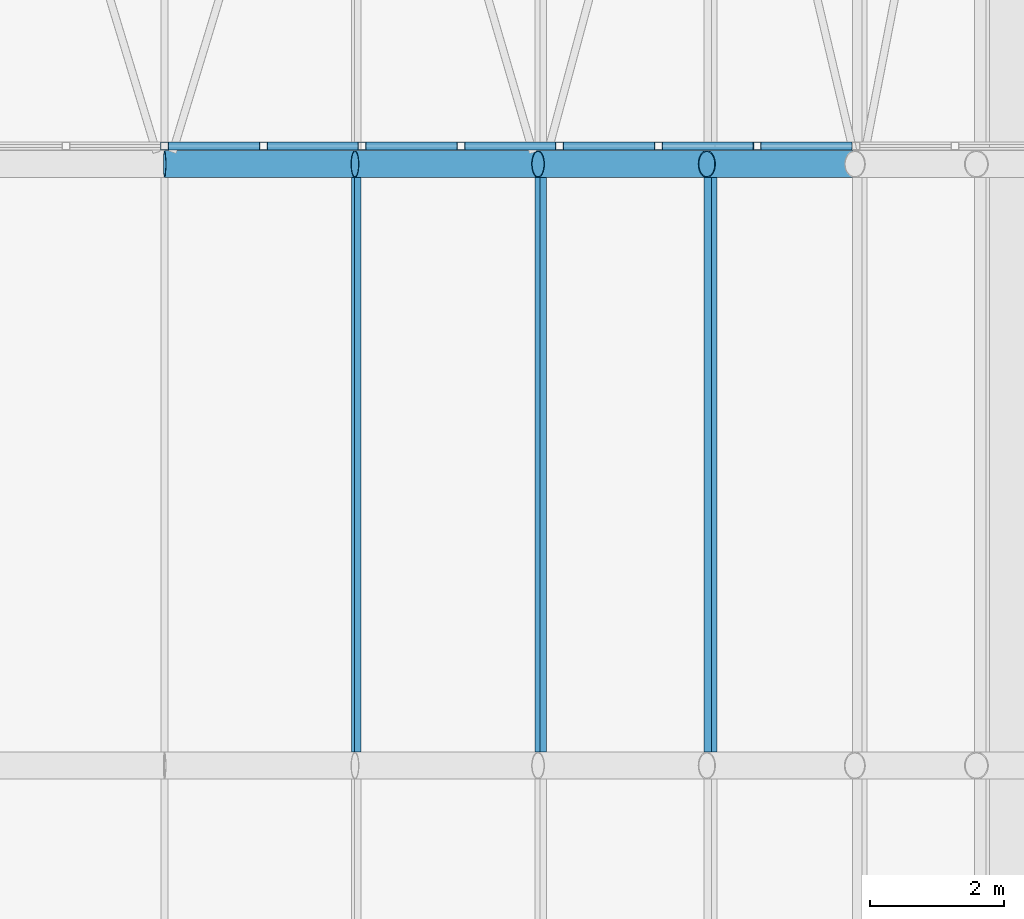
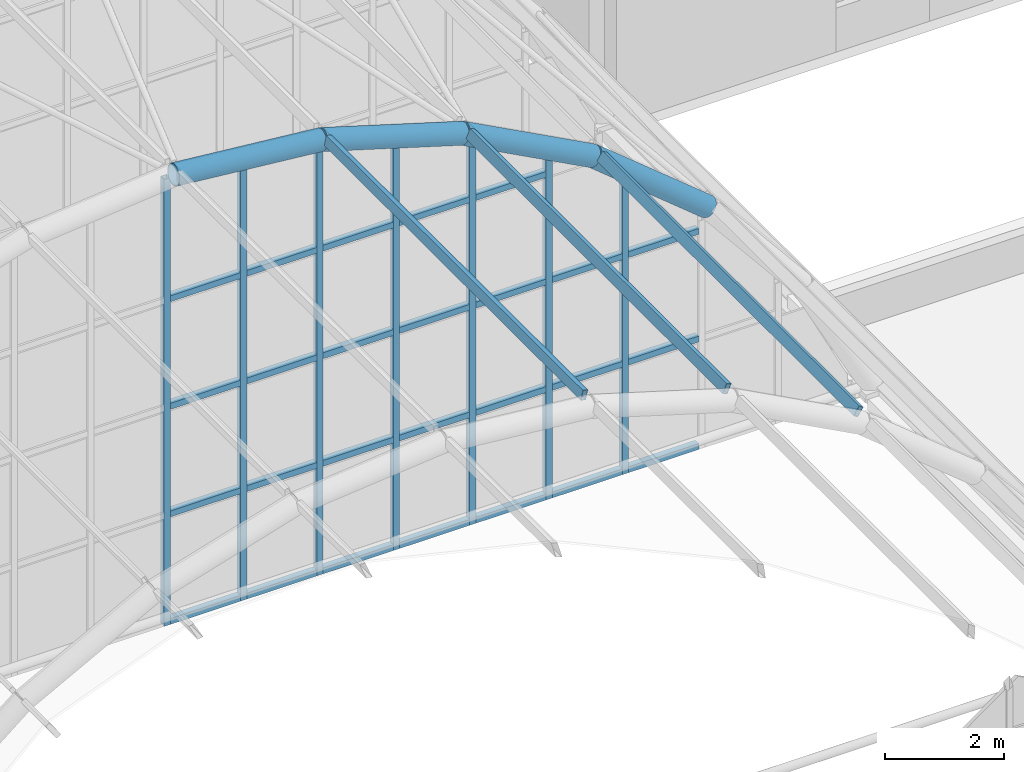
# One storey, part 43 of 121: 40 members, 1 element without a shape of its own.
"""IFC4 building model written with IfcOpenShell, lengths in metres."""

from ifc_helpers import new_model, si_unit, direction, frame, origin, origin_2d, place, context, subcontext, project, spatial, hollow_rectangle, hollow_circle, extrude, material, material_profile, profile_set, type_object, element, aggregate, save


model = new_model("IFC4")

# Units and contexts
model_context = context("Model", 3, precision=1e-05, world=origin(), true_north=direction((0.0, 1.0)))
body_context = subcontext(model_context, "Body", "Model", "MODEL_VIEW")
ifc_project = project(units=[si_unit("LENGTHUNIT", "METRE"), si_unit("AREAUNIT", "SQUARE_METRE"), si_unit("VOLUMEUNIT", "CUBIC_METRE"), si_unit("PLANEANGLEUNIT", "RADIAN"), si_unit("MASSUNIT", "GRAM", prefix="KILO")], contexts=[model_context])

# Site, building, storey
site_placement = place(None, origin())
site = spatial("IfcSite", under=ifc_project, at=site_placement, CompositionType="ELEMENT")
building_placement = place(site_placement, origin())
building = spatial("IfcBuilding", under=site, at=building_placement, Name="Golden Quay Civic Hall", CompositionType="ELEMENT")
storey_placement = place(building_placement, frame((0.0, 0.0, 18.60009765625)))
storey = spatial("IfcBuildingStorey", under=building, at=storey_placement, Name="L04", CompositionType="ELEMENT", Elevation=18.60009765625)

# Curtain wall, members
ifc_material_1 = material(Name="Fire-resisting glass and steel", Category="steel")
curtain_wall_type = type_object("IfcCurtainWallType", Name="Fire-resisting glazed curtain wall EI 120", PredefinedType="NOTDEFINED", material=ifc_material_1)
curtain_wall_placement = place(storey_placement, origin())
curtain_wall = element("IfcCurtainWall", 1, at=curtain_wall_placement, inside=storey, type_object=curtain_wall_type, Name="Curtain wall tympanum fire3", PredefinedType="NOTDEFINED")
ifc_material_2 = material(Name="Steel S355", Category="steel")
ifc_material_profile_1 = material_profile(ifc_material_2, hollow_rectangle(XDim=0.1201171875, YDim=0.1201171875, WallThickness=0.008056640625, at=origin_2d()), Name="SHS 120x120x8")
ifc_profile_set_1 = profile_set([ifc_material_profile_1], Name="Steel S355")
member_type_1 = type_object("IfcMemberType", Name="Fire-resisting steel mullion SHS 120x120x8", PredefinedType="MULLION", material=ifc_profile_set_1)
member_1_placement = place(storey_placement, frame((85.5, 54.27001953125, -0.25), z_axis=(0.0, 0.0, 1.0), x_axis=(0.0, 1.0, 0.0)))
member_1 = element("IfcMember", 2, at=member_1_placement, type_object=member_type_1, Name="Tympanum mullion 10", PredefinedType="MULLION", context=body_context, shape_type="SweptSolid", body=[
    extrude(hollow_rectangle(XDim=0.1201171875, YDim=0.1201171875, WallThickness=0.008056640625, at=origin_2d()), origin(), (0.0, 0.0, 1.0), 9.139892578125),
])
member_2_placement = place(storey_placement, frame((86.977783203125, 54.27001953125, -0.25), z_axis=(0.0, 0.0, 1.0), x_axis=(0.0, 1.0, 0.0)))
member_2 = element("IfcMember", 3, at=member_2_placement, type_object=member_type_1, Name="Tympanum mullion 11", PredefinedType="MULLION", context=body_context, shape_type="SweptSolid", body=[
    extrude(hollow_rectangle(XDim=0.1201171875, YDim=0.1201171875, WallThickness=0.008056640625, at=origin_2d()), origin(), (0.0, 0.0, 1.0), 8.99462890625),
])
member_3_placement = place(storey_placement, frame((88.45556640625, 54.27001953125, -0.25), z_axis=(0.0, 0.0, 1.0), x_axis=(0.0, 1.0, 0.0)))
member_3 = element("IfcMember", 4, at=member_3_placement, type_object=member_type_1, Name="Tympanum mullion 12", PredefinedType="MULLION", context=body_context, shape_type="SweptSolid", body=[
    extrude(hollow_rectangle(XDim=0.1201171875, YDim=0.1201171875, WallThickness=0.008056640625, at=origin_2d()), origin(), (0.0, 0.0, 1.0), 8.806884765625),
])
member_4_placement = place(storey_placement, frame((89.933349609375, 54.27001953125, -0.25), z_axis=(0.0, 0.0, 1.0), x_axis=(0.0, 1.0, 0.0)))
member_4 = element("IfcMember", 5, at=member_4_placement, type_object=member_type_1, Name="Tympanum mullion 13", PredefinedType="MULLION", context=body_context, shape_type="SweptSolid", body=[
    extrude(hollow_rectangle(XDim=0.1201171875, YDim=0.1201171875, WallThickness=0.008056640625, at=origin_2d()), origin(), (0.0, 0.0, 1.0), 8.359375),
])
member_5_placement = place(storey_placement, frame((91.4111328125, 54.27001953125, -0.25), z_axis=(0.0, 0.0, 1.0), x_axis=(0.0, 1.0, 0.0)))
member_5 = element("IfcMember", 6, at=member_5_placement, type_object=member_type_1, Name="Tympanum mullion 14", PredefinedType="MULLION", context=body_context, shape_type="SweptSolid", body=[
    extrude(hollow_rectangle(XDim=0.1201171875, YDim=0.1201171875, WallThickness=0.008056640625, at=origin_2d()), origin(), (0.0, 0.0, 1.0), 7.805419921875),
])
member_6_placement = place(storey_placement, frame((92.888916015625, 54.27001953125, -0.25), z_axis=(0.0, 0.0, 1.0), x_axis=(0.0, 1.0, 0.0)))
member_6 = element("IfcMember", 7, at=member_6_placement, type_object=member_type_1, Name="Tympanum mullion 15", PredefinedType="MULLION", context=body_context, shape_type="SweptSolid", body=[
    extrude(hollow_rectangle(XDim=0.1201171875, YDim=0.1201171875, WallThickness=0.008056640625, at=origin_2d()), origin(), (0.0, 0.0, 1.0), 7.017333984375),
])
member_7_placement = place(storey_placement, frame((94.36669921875, 54.27001953125, -0.25), z_axis=(0.0, 0.0, 1.0), x_axis=(0.0, 1.0, 0.0)))
member_7 = element("IfcMember", 8, at=member_7_placement, type_object=member_type_1, Name="Tympanum mullion 16", PredefinedType="MULLION", context=body_context, shape_type="SweptSolid", body=[
    extrude(hollow_rectangle(XDim=0.1201171875, YDim=0.1201171875, WallThickness=0.008056640625, at=origin_2d()), origin(), (0.0, 0.0, 1.0), 5.964599609375),
])
ifc_material_3 = material(Name="Steel S355", Category="steel")
ifc_material_profile_2 = material_profile(ifc_material_3, hollow_rectangle(XDim=0.1201171875, YDim=0.1201171875, WallThickness=0.008056640625, at=origin_2d()), Name="SHS 120x120x8")
ifc_profile_set_2 = profile_set([ifc_material_profile_2], Name="Steel S355")
member_type_2 = type_object("IfcMemberType", Name="Fire-resisting steel transom SHS 120x120x8", PredefinedType="USERDEFINED", material=ifc_profile_set_2)
member_8_placement = place(storey_placement, frame((85.56005859375, 54.27001953125, -0.190185546875), z_axis=(1.0, 0.0, 0.0), x_axis=(0.0, 1.0, 0.0)))
member_8 = element("IfcMember", 9, at=member_8_placement, type_object=member_type_2, Name="Tympanum transom 10.1", ObjectType="TRANSOM", PredefinedType="USERDEFINED", context=body_context, shape_type="SweptSolid", body=[
    extrude(hollow_rectangle(XDim=0.1201171875, YDim=0.1201171875, WallThickness=0.008056640625, at=origin_2d()), origin(), (0.0, 0.0, 1.0), 1.357666015625),
])
member_9_placement = place(storey_placement, frame((85.56005859375, 54.27001953125, 2.010009765625), z_axis=(1.0, 0.0, 0.0), x_axis=(0.0, 1.0, 0.0)))
member_9 = element("IfcMember", 10, at=member_9_placement, type_object=member_type_2, Name="Tympanum transom 10.2", ObjectType="TRANSOM", PredefinedType="USERDEFINED", context=body_context, shape_type="SweptSolid", body=[
    extrude(hollow_rectangle(XDim=0.1201171875, YDim=0.1201171875, WallThickness=0.008056640625, at=origin_2d()), origin(), (0.0, 0.0, 1.0), 1.357666015625),
])
member_10_placement = place(storey_placement, frame((85.56005859375, 54.27001953125, 4.2099609375), z_axis=(1.0, 0.0, 0.0), x_axis=(0.0, 1.0, 0.0)))
member_10 = element("IfcMember", 11, at=member_10_placement, type_object=member_type_2, Name="Tympanum transom 10.3", ObjectType="TRANSOM", PredefinedType="USERDEFINED", context=body_context, shape_type="SweptSolid", body=[
    extrude(hollow_rectangle(XDim=0.1201171875, YDim=0.1201171875, WallThickness=0.008056640625, at=origin_2d()), origin(), (0.0, 0.0, 1.0), 1.357666015625),
])
member_11_placement = place(storey_placement, frame((85.56005859375, 54.27001953125, 6.409912109375), z_axis=(1.0, 0.0, 0.0), x_axis=(0.0, 1.0, 0.0)))
member_11 = element("IfcMember", 12, at=member_11_placement, type_object=member_type_2, Name="Tympanum transom 10.4", ObjectType="TRANSOM", PredefinedType="USERDEFINED", context=body_context, shape_type="SweptSolid", body=[
    extrude(hollow_rectangle(XDim=0.1201171875, YDim=0.1201171875, WallThickness=0.008056640625, at=origin_2d()), origin(), (0.0, 0.0, 1.0), 1.357666015625),
])
member_12_placement = place(storey_placement, frame((87.037841796875, 54.27001953125, -0.190185546875), z_axis=(1.0, 0.0, 0.0), x_axis=(0.0, 1.0, 0.0)))
member_12 = element("IfcMember", 13, at=member_12_placement, type_object=member_type_2, Name="Tympanum transom 11.1", ObjectType="TRANSOM", PredefinedType="USERDEFINED", context=body_context, shape_type="SweptSolid", body=[
    extrude(hollow_rectangle(XDim=0.1201171875, YDim=0.1201171875, WallThickness=0.008056640625, at=origin_2d()), origin(), (0.0, 0.0, 1.0), 1.357666015625),
])
member_13_placement = place(storey_placement, frame((87.037841796875, 54.27001953125, 2.010009765625), z_axis=(1.0, 0.0, 0.0), x_axis=(0.0, 1.0, 0.0)))
member_13 = element("IfcMember", 14, at=member_13_placement, type_object=member_type_2, Name="Tympanum transom 11.2", ObjectType="TRANSOM", PredefinedType="USERDEFINED", context=body_context, shape_type="SweptSolid", body=[
    extrude(hollow_rectangle(XDim=0.1201171875, YDim=0.1201171875, WallThickness=0.008056640625, at=origin_2d()), origin(), (0.0, 0.0, 1.0), 1.357666015625),
])
member_14_placement = place(storey_placement, frame((87.037841796875, 54.27001953125, 4.2099609375), z_axis=(1.0, 0.0, 0.0), x_axis=(0.0, 1.0, 0.0)))
member_14 = element("IfcMember", 15, at=member_14_placement, type_object=member_type_2, Name="Tympanum transom 11.3", ObjectType="TRANSOM", PredefinedType="USERDEFINED", context=body_context, shape_type="SweptSolid", body=[
    extrude(hollow_rectangle(XDim=0.1201171875, YDim=0.1201171875, WallThickness=0.008056640625, at=origin_2d()), origin(), (0.0, 0.0, 1.0), 1.357666015625),
])
member_15_placement = place(storey_placement, frame((87.037841796875, 54.27001953125, 6.409912109375), z_axis=(1.0, 0.0, 0.0), x_axis=(0.0, 1.0, 0.0)))
member_15 = element("IfcMember", 16, at=member_15_placement, type_object=member_type_2, Name="Tympanum transom 11.4", ObjectType="TRANSOM", PredefinedType="USERDEFINED", context=body_context, shape_type="SweptSolid", body=[
    extrude(hollow_rectangle(XDim=0.1201171875, YDim=0.1201171875, WallThickness=0.008056640625, at=origin_2d()), origin(), (0.0, 0.0, 1.0), 1.357666015625),
])
member_16_placement = place(storey_placement, frame((88.515625, 54.27001953125, -0.190185546875), z_axis=(1.0, 0.0, 0.0), x_axis=(0.0, 1.0, 0.0)))
member_16 = element("IfcMember", 17, at=member_16_placement, type_object=member_type_2, Name="Tympanum transom 12.1", ObjectType="TRANSOM", PredefinedType="USERDEFINED", context=body_context, shape_type="SweptSolid", body=[
    extrude(hollow_rectangle(XDim=0.1201171875, YDim=0.1201171875, WallThickness=0.008056640625, at=origin_2d()), origin(), (0.0, 0.0, 1.0), 1.357666015625),
])
member_17_placement = place(storey_placement, frame((88.515625, 54.27001953125, 2.010009765625), z_axis=(1.0, 0.0, 0.0), x_axis=(0.0, 1.0, 0.0)))
member_17 = element("IfcMember", 18, at=member_17_placement, type_object=member_type_2, Name="Tympanum transom 12.2", ObjectType="TRANSOM", PredefinedType="USERDEFINED", context=body_context, shape_type="SweptSolid", body=[
    extrude(hollow_rectangle(XDim=0.1201171875, YDim=0.1201171875, WallThickness=0.008056640625, at=origin_2d()), origin(), (0.0, 0.0, 1.0), 1.357666015625),
])
member_18_placement = place(storey_placement, frame((88.515625, 54.27001953125, 4.2099609375), z_axis=(1.0, 0.0, 0.0), x_axis=(0.0, 1.0, 0.0)))
member_18 = element("IfcMember", 19, at=member_18_placement, type_object=member_type_2, Name="Tympanum transom 12.3", ObjectType="TRANSOM", PredefinedType="USERDEFINED", context=body_context, shape_type="SweptSolid", body=[
    extrude(hollow_rectangle(XDim=0.1201171875, YDim=0.1201171875, WallThickness=0.008056640625, at=origin_2d()), origin(), (0.0, 0.0, 1.0), 1.357666015625),
])
member_19_placement = place(storey_placement, frame((88.515625, 54.27001953125, 6.409912109375), z_axis=(1.0, 0.0, 0.0), x_axis=(0.0, 1.0, 0.0)))
member_19 = element("IfcMember", 20, at=member_19_placement, type_object=member_type_2, Name="Tympanum transom 12.4", ObjectType="TRANSOM", PredefinedType="USERDEFINED", context=body_context, shape_type="SweptSolid", body=[
    extrude(hollow_rectangle(XDim=0.1201171875, YDim=0.1201171875, WallThickness=0.008056640625, at=origin_2d()), origin(), (0.0, 0.0, 1.0), 1.357666015625),
])
member_20_placement = place(storey_placement, frame((89.993408203125, 54.27001953125, -0.190185546875), z_axis=(1.0, 0.0, 0.0), x_axis=(0.0, 1.0, 0.0)))
member_20 = element("IfcMember", 21, at=member_20_placement, type_object=member_type_2, Name="Tympanum transom 13.1", ObjectType="TRANSOM", PredefinedType="USERDEFINED", context=body_context, shape_type="SweptSolid", body=[
    extrude(hollow_rectangle(XDim=0.1201171875, YDim=0.1201171875, WallThickness=0.008056640625, at=origin_2d()), origin(), (0.0, 0.0, 1.0), 1.357666015625),
])
member_21_placement = place(storey_placement, frame((89.993408203125, 54.27001953125, 2.010009765625), z_axis=(1.0, 0.0, 0.0), x_axis=(0.0, 1.0, 0.0)))
member_21 = element("IfcMember", 22, at=member_21_placement, type_object=member_type_2, Name="Tympanum transom 13.2", ObjectType="TRANSOM", PredefinedType="USERDEFINED", context=body_context, shape_type="SweptSolid", body=[
    extrude(hollow_rectangle(XDim=0.1201171875, YDim=0.1201171875, WallThickness=0.008056640625, at=origin_2d()), origin(), (0.0, 0.0, 1.0), 1.357666015625),
])
member_22_placement = place(storey_placement, frame((89.993408203125, 54.27001953125, 4.2099609375), z_axis=(1.0, 0.0, 0.0), x_axis=(0.0, 1.0, 0.0)))
member_22 = element("IfcMember", 23, at=member_22_placement, type_object=member_type_2, Name="Tympanum transom 13.3", ObjectType="TRANSOM", PredefinedType="USERDEFINED", context=body_context, shape_type="SweptSolid", body=[
    extrude(hollow_rectangle(XDim=0.1201171875, YDim=0.1201171875, WallThickness=0.008056640625, at=origin_2d()), origin(), (0.0, 0.0, 1.0), 1.357666015625),
])
member_23_placement = place(storey_placement, frame((89.993408203125, 54.27001953125, 6.409912109375), z_axis=(1.0, 0.0, 0.0), x_axis=(0.0, 1.0, 0.0)))
member_23 = element("IfcMember", 24, at=member_23_placement, type_object=member_type_2, Name="Tympanum transom 13.4", ObjectType="TRANSOM", PredefinedType="USERDEFINED", context=body_context, shape_type="SweptSolid", body=[
    extrude(hollow_rectangle(XDim=0.1201171875, YDim=0.1201171875, WallThickness=0.008056640625, at=origin_2d()), origin(), (0.0, 0.0, 1.0), 1.357666015625),
])
member_24_placement = place(storey_placement, frame((91.47119140625, 54.27001953125, -0.190185546875), z_axis=(1.0, 0.0, 0.0), x_axis=(0.0, 1.0, 0.0)))
member_24 = element("IfcMember", 25, at=member_24_placement, type_object=member_type_2, Name="Tympanum transom 14.1", ObjectType="TRANSOM", PredefinedType="USERDEFINED", context=body_context, shape_type="SweptSolid", body=[
    extrude(hollow_rectangle(XDim=0.1201171875, YDim=0.1201171875, WallThickness=0.008056640625, at=origin_2d()), origin(), (0.0, 0.0, 1.0), 1.357666015625),
])
member_25_placement = place(storey_placement, frame((91.47119140625, 54.27001953125, 2.010009765625), z_axis=(1.0, 0.0, 0.0), x_axis=(0.0, 1.0, 0.0)))
member_25 = element("IfcMember", 26, at=member_25_placement, type_object=member_type_2, Name="Tympanum transom 14.2", ObjectType="TRANSOM", PredefinedType="USERDEFINED", context=body_context, shape_type="SweptSolid", body=[
    extrude(hollow_rectangle(XDim=0.1201171875, YDim=0.1201171875, WallThickness=0.008056640625, at=origin_2d()), origin(), (0.0, 0.0, 1.0), 1.357666015625),
])
member_26_placement = place(storey_placement, frame((91.47119140625, 54.27001953125, 4.2099609375), z_axis=(1.0, 0.0, 0.0), x_axis=(0.0, 1.0, 0.0)))
member_26 = element("IfcMember", 27, at=member_26_placement, type_object=member_type_2, Name="Tympanum transom 14.3", ObjectType="TRANSOM", PredefinedType="USERDEFINED", context=body_context, shape_type="SweptSolid", body=[
    extrude(hollow_rectangle(XDim=0.1201171875, YDim=0.1201171875, WallThickness=0.008056640625, at=origin_2d()), origin(), (0.0, 0.0, 1.0), 1.357666015625),
])
member_27_placement = place(storey_placement, frame((91.47119140625, 54.27001953125, 6.409912109375), z_axis=(1.0, 0.0, 0.0), x_axis=(0.0, 1.0, 0.0)))
member_27 = element("IfcMember", 28, at=member_27_placement, type_object=member_type_2, Name="Tympanum transom 14.4", ObjectType="TRANSOM", PredefinedType="USERDEFINED", context=body_context, shape_type="SweptSolid", body=[
    extrude(hollow_rectangle(XDim=0.1201171875, YDim=0.1201171875, WallThickness=0.008056640625, at=origin_2d()), origin(), (0.0, 0.0, 1.0), 1.357666015625),
])
member_28_placement = place(storey_placement, frame((92.948974609375, 54.27001953125, -0.190185546875), z_axis=(1.0, 0.0, 0.0), x_axis=(0.0, 1.0, 0.0)))
member_28 = element("IfcMember", 29, at=member_28_placement, type_object=member_type_2, Name="Tympanum transom 15.1", ObjectType="TRANSOM", PredefinedType="USERDEFINED", context=body_context, shape_type="SweptSolid", body=[
    extrude(hollow_rectangle(XDim=0.1201171875, YDim=0.1201171875, WallThickness=0.008056640625, at=origin_2d()), origin(), (0.0, 0.0, 1.0), 1.357666015625),
])
member_29_placement = place(storey_placement, frame((92.948974609375, 54.27001953125, 2.010009765625), z_axis=(1.0, 0.0, 0.0), x_axis=(0.0, 1.0, 0.0)))
member_29 = element("IfcMember", 30, at=member_29_placement, type_object=member_type_2, Name="Tympanum transom 15.2", ObjectType="TRANSOM", PredefinedType="USERDEFINED", context=body_context, shape_type="SweptSolid", body=[
    extrude(hollow_rectangle(XDim=0.1201171875, YDim=0.1201171875, WallThickness=0.008056640625, at=origin_2d()), origin(), (0.0, 0.0, 1.0), 1.357666015625),
])
member_30_placement = place(storey_placement, frame((92.948974609375, 54.27001953125, 4.2099609375), z_axis=(1.0, 0.0, 0.0), x_axis=(0.0, 1.0, 0.0)))
member_30 = element("IfcMember", 31, at=member_30_placement, type_object=member_type_2, Name="Tympanum transom 15.3", ObjectType="TRANSOM", PredefinedType="USERDEFINED", context=body_context, shape_type="SweptSolid", body=[
    extrude(hollow_rectangle(XDim=0.1201171875, YDim=0.1201171875, WallThickness=0.008056640625, at=origin_2d()), origin(), (0.0, 0.0, 1.0), 1.357666015625),
])
member_31_placement = place(storey_placement, frame((94.4267578125, 54.27001953125, -0.190185546875), z_axis=(1.0, 0.0, 0.0), x_axis=(0.0, 1.0, 0.0)))
member_31 = element("IfcMember", 32, at=member_31_placement, type_object=member_type_2, Name="Tympanum transom 16.1", ObjectType="TRANSOM", PredefinedType="USERDEFINED", context=body_context, shape_type="SweptSolid", body=[
    extrude(hollow_rectangle(XDim=0.1201171875, YDim=0.1201171875, WallThickness=0.008056640625, at=origin_2d()), origin(), (0.0, 0.0, 1.0), 1.357666015625),
])
member_32_placement = place(storey_placement, frame((94.4267578125, 54.27001953125, 2.010009765625), z_axis=(1.0, 0.0, 0.0), x_axis=(0.0, 1.0, 0.0)))
member_32 = element("IfcMember", 33, at=member_32_placement, type_object=member_type_2, Name="Tympanum transom 16.2", ObjectType="TRANSOM", PredefinedType="USERDEFINED", context=body_context, shape_type="SweptSolid", body=[
    extrude(hollow_rectangle(XDim=0.1201171875, YDim=0.1201171875, WallThickness=0.008056640625, at=origin_2d()), origin(), (0.0, 0.0, 1.0), 1.357666015625),
])
member_33_placement = place(storey_placement, frame((94.4267578125, 54.27001953125, 4.2099609375), z_axis=(1.0, 0.0, 0.0), x_axis=(0.0, 1.0, 0.0)))
member_33 = element("IfcMember", 34, at=member_33_placement, type_object=member_type_2, Name="Tympanum transom 16.3", ObjectType="TRANSOM", PredefinedType="USERDEFINED", context=body_context, shape_type="SweptSolid", body=[
    extrude(hollow_rectangle(XDim=0.1201171875, YDim=0.1201171875, WallThickness=0.008056640625, at=origin_2d()), origin(), (0.0, 0.0, 1.0), 1.357666015625),
])
aggregate(curtain_wall, [member_1, member_2, member_3, member_4, member_5, member_6, member_7, member_8, member_9, member_10, member_11, member_12, member_13, member_14, member_15, member_16, member_17, member_18, member_19, member_20, member_21, member_22, member_23, member_24, member_25, member_26, member_27, member_28, member_29, member_30, member_31, member_32, member_33])

# Members
ifc_material_4 = material(Name="Steel S355", Category="steel")
ifc_material_profile_3 = material_profile(ifc_material_4, hollow_circle(Radius=0.203125, WallThickness=0.01611328125, at=origin_2d()), Name="CHS 406.4x16")
ifc_profile_set_3 = profile_set([ifc_material_profile_3], Name="Steel S355")
member_type_3 = type_object("IfcMemberType", Name="Steel arch rib CHS 406.4x16", PredefinedType="USERDEFINED", material=ifc_profile_set_3)
member_34_placement = place(storey_placement, frame((85.5, 54.0, 9.099853515625), z_axis=(0.995201360973, 0.0, -0.097848102266), x_axis=(0.0, 1.0, 0.0)))
element("IfcMember", 35, at=member_34_placement, inside=storey, type_object=member_type_3, Name="Arch rib 7 segment 7", ObjectType="ARCH RIB", PredefinedType="USERDEFINED", context=body_context, shape_type="SweptSolid", body=[
    extrude(hollow_circle(Radius=0.203125, WallThickness=0.01611328125, at=origin_2d()), origin(), (0.0, 0.0, 1.0), 2.86181640625),
])
member_35_placement = place(storey_placement, frame((88.34814453125, 54.0, 8.81982421875), z_axis=(0.957095401463, 0.0, -0.289773001673), x_axis=(0.0, 1.0, 0.0)))
element("IfcMember", 36, at=member_35_placement, inside=storey, type_object=member_type_3, Name="Arch rib 7 segment 8", ObjectType="ARCH RIB", PredefinedType="USERDEFINED", context=body_context, shape_type="SweptSolid", body=[
    extrude(hollow_circle(Radius=0.203125, WallThickness=0.01611328125, at=origin_2d()), origin(), (0.0, 0.0, 1.0), 2.862060546875),
])
for number, where, z_axis, x_axis, name in (
    (37, (91.08740234375, 54.0, 7.990478515625), (0.882326964097, 0.0, -0.470636939082), (0.0, 1.0, 0.0), "Arch rib 7 segment 9"),
    (38, (93.612548828125, 54.0, 6.6435546875), (0.773786223221, 0.0, -0.633446825514), (0.0, 1.0, 0.0), "Arch rib 7 segment 10"),
):
    element("IfcMember", number, at=place(storey_placement, frame(where, z_axis=z_axis, x_axis=x_axis)), inside=storey, type_object=member_type_3, Name=name, ObjectType="ARCH RIB", PredefinedType="USERDEFINED", context=body_context, shape_type="SweptSolid", body=[
        extrude(hollow_circle(Radius=0.203125, WallThickness=0.01611328125, at=origin_2d()), origin(), (0.0, 0.0, 1.0), 2.86181640625),
    ])
ifc_material_5 = material(Name="Steel S355", Category="steel")
ifc_material_profile_4 = material_profile(ifc_material_5, hollow_rectangle(XDim=0.10009765625, YDim=0.199951171875, WallThickness=0.008056640625, at=origin_2d()), Name="RHS 200x100x8")
ifc_profile_set_4 = profile_set([ifc_material_profile_4], Name="Steel S355")
member_type_4 = type_object("IfcMemberType", Name="Steel purlin RHS 200x100x8", PredefinedType="PURLIN", material=ifc_profile_set_4)
for number, where, z_axis, x_axis, name in (
    (39, (88.368408203125, 45.203125, 8.921142578125), (0.0, 1.0, 0.0), (-0.98085324351, 0.0, 0.194748336824), "Purlin 6.8"),
    (40, (91.126708984375, 45.203125, 8.0859375), (0.0, 1.0, 0.0), (-0.924146170615, 0.0, 0.382039075668), "Purlin 6.9"),
    (41, (93.669677734375, 45.203125, 6.7294921875), (0.0, 1.0, 0.0), (-0.832050294338, 0.0, 0.554700196226), "Purlin 6.10"),
):
    element("IfcMember", number, at=place(storey_placement, frame(where, z_axis=z_axis, x_axis=x_axis)), inside=storey, type_object=member_type_4, Name=name, PredefinedType="PURLIN", context=body_context, shape_type="SweptSolid", body=[
        extrude(hollow_rectangle(XDim=0.10009765625, YDim=0.199951171875, WallThickness=0.008056640625, at=origin_2d()), origin(), (0.0, 0.0, 1.0), 8.59375),
    ])

save(model, "model.ifc")
